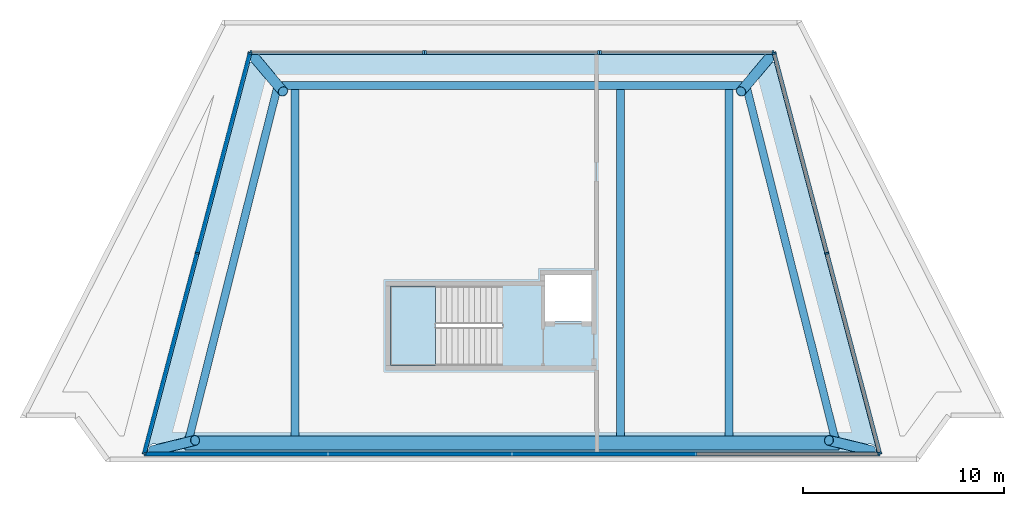
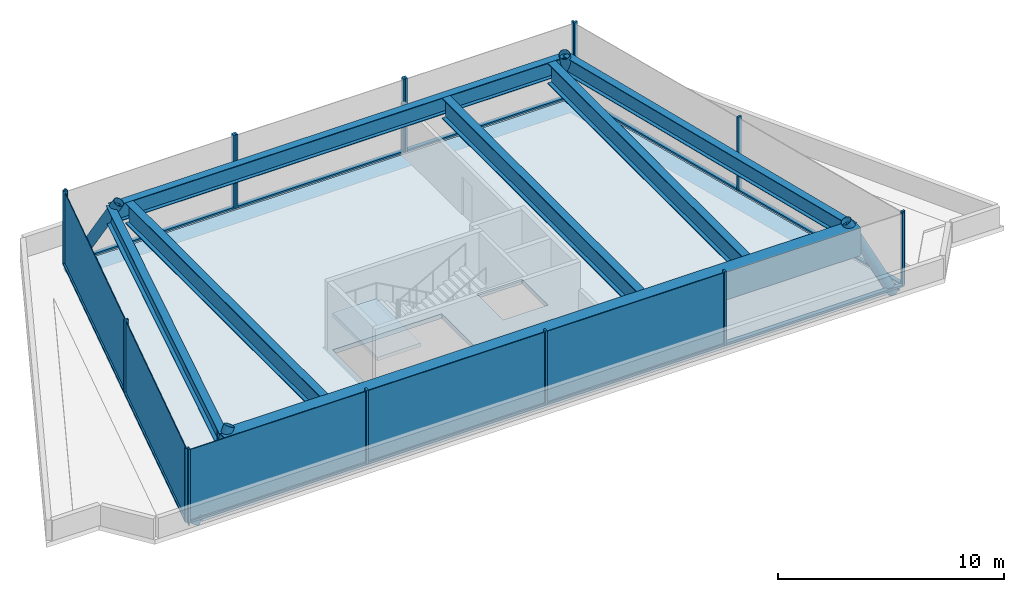
# One storey, part 1 of 3: 32 members, 7 beams, 5 plates, 2 slabs, 7 elements without a shape of their own.
"""IFC4 building model written with IfcOpenShell, lengths in metres."""

from ifc_helpers import new_model, si_unit, direction, frame, origin, origin_2d, place, context, subcontext, project, spatial, polyline, rectangle, hollow_rectangle, hollow_circle, i_section, outline, extrude, material, layer, layer_set, material_profile, profile_set, type_object, element, aggregate, save


model = new_model("IFC4")

# Units and contexts
model_context = context("Model", 3, precision=1e-05, world=origin(), true_north=direction((0.0, 1.0)))
body_context = subcontext(model_context, "Body", "Model", "MODEL_VIEW")
ifc_project = project(units=[si_unit("LENGTHUNIT", "METRE"), si_unit("AREAUNIT", "SQUARE_METRE"), si_unit("VOLUMEUNIT", "CUBIC_METRE"), si_unit("PLANEANGLEUNIT", "RADIAN"), si_unit("MASSUNIT", "GRAM", prefix="KILO")], contexts=[model_context])

# Site, building, storey
site_placement = place(None, origin())
site = spatial("IfcSite", under=ifc_project, at=site_placement, CompositionType="ELEMENT")
building_placement = place(site_placement, origin())
building = spatial("IfcBuilding", under=site, at=building_placement, Name="Quipu Civic Tower", CompositionType="ELEMENT")
storey_placement = place(building_placement, frame((0.0, 0.0, 368.0)))
storey = spatial("IfcBuildingStorey", under=building, at=storey_placement, Name="L85", CompositionType="ELEMENT", Elevation=368.0)

# Beams
ifc_material_1 = material(Name="Steel ASTM A992 Grade 50 (fy 345 MPa)", Category="steel")
ifc_material_profile_1 = material_profile(ifc_material_1, i_section(OverallWidth=0.405029296875, OverallDepth=1.1181640625, WebThickness=0.02587890625, FlangeThickness=0.044921875, at=origin_2d()), Name="W1100x499")
ifc_profile_set_1 = profile_set([ifc_material_profile_1], Name="Steel ASTM A992 Grade 50 (fy 345 MPa)")
beam_type_1 = type_object("IfcBeamType", Name="Crown floor beam W1100x499", PredefinedType="BEAM", material=ifc_profile_set_1)
for number, where, z_axis, x_axis, name in (
    (1, (-10.800048828125, -9.6953125, 3.19091796875), (0.0, 1.0, 0.0), (-1.0, 0.0, 0.0), "Crown floor beam L85 292"),
    (2, (5.39990234375, -9.6953125, 3.19091796875), (0.0, 1.0, 0.0), (-1.0, 0.0, 0.0), "Crown floor beam L85 454"),
    (3, (10.800048828125, -9.6953125, 3.19091796875), (0.0, 1.0, 0.0), (-1.0, 0.0, 0.0), "Crown floor beam L85 508"),
):
    element("IfcBeam", number, at=place(storey_placement, frame(where, z_axis=z_axis, x_axis=x_axis)), inside=storey, type_object=beam_type_1, Name=name, PredefinedType="BEAM", context=body_context, shape_type="SweptSolid", body=[
        extrude(i_section(OverallWidth=0.405029296875, OverallDepth=1.1181640625, WebThickness=0.02587890625, FlangeThickness=0.044921875, at=origin_2d()), origin(), (0.0, 0.0, 1.0), 17.24609375),
    ])

# Members
ifc_material_2 = material(Name="Steel ASTM A500 Grade C (fy 345 MPa)", Category="steel")
ifc_material_profile_2 = material_profile(ifc_material_2, hollow_circle(Radius=0.25390625, WallThickness=0.015869140625, at=origin_2d()), Name="HSS508x15.9")
ifc_profile_set_2 = profile_set([ifc_material_profile_2], Name="Steel ASTM A500 Grade C (fy 345 MPa)")
member_type_1 = type_object("IfcMemberType", Name="Crown leg HSS508x15.9", PredefinedType="BRACE", material=ifc_profile_set_2)
for number, where, z_axis, x_axis, name in (
    (4, (-17.8701171875, -10.433837890625, -0.25), (0.439616455426, 0.106612497814, 0.891835829864), (-0.235681060662, 0.971830457253, 0.0), "Crown leg L85 1"),
    (5, (17.8701171875, -10.433837890625, -0.25), (-0.439616455426, 0.106612497814, 0.891835829864), (-0.235681060662, -0.971830457253, 0.0), "Crown leg L85 2"),
):
    element("IfcMember", number, at=place(storey_placement, frame(where, z_axis=z_axis, x_axis=x_axis)), inside=storey, type_object=member_type_1, Name=name, PredefinedType="BRACE", context=body_context, shape_type="SweptSolid", body=[
        extrude(hollow_circle(Radius=0.25390625, WallThickness=0.015869140625, at=origin_2d()), origin(), (0.0, 0.0, 1.0), 4.765380859375),
    ])
for number, where, z_axis, x_axis, name in (
    (6, (12.916015625, 9.242919921875, -0.25), (-0.311790003681, -0.370348016625, 0.875002480103), (0.764994656868, -0.644036625482, 0.0), "Crown leg L85 3"),
    (7, (-12.916015625, 9.242919921875, -0.25), (0.311790003681, -0.370348016625, 0.875002480103), (0.764994656868, 0.644036625482, 0.0), "Crown leg L85 4"),
):
    element("IfcMember", number, at=place(storey_placement, frame(where, z_axis=z_axis, x_axis=x_axis)), inside=storey, type_object=member_type_1, Name=name, PredefinedType="BRACE", context=body_context, shape_type="SweptSolid", body=[
        extrude(hollow_circle(Radius=0.25390625, WallThickness=0.015869140625, at=origin_2d()), origin(), (0.0, 0.0, 1.0), 4.857177734375),
    ])

# Beams
ifc_material_3 = material(Name="Steel ASTM A572 Grade 50 (fy 345 MPa)", Category="steel")
ifc_material_profile_3 = material_profile(ifc_material_3, hollow_rectangle(XDim=0.699951171875, YDim=1.5, WallThickness=0.050048828125, at=origin_2d()), Name="BX1500x700x50")
ifc_profile_set_3 = profile_set([ifc_material_profile_3], Name="Steel ASTM A572 Grade 50 (fy 345 MPa)")
beam_type_2 = type_object("IfcBeamType", Name="Crown ring girder BX1500x700x50", PredefinedType="BEAM", material=ifc_profile_set_3)
beam_1_placement = place(storey_placement, frame((-16.26806640625, -10.045166015625, 3.0), z_axis=(1.0, 0.0, 0.0), x_axis=(0.0, 1.0, 0.0)))
element("IfcBeam", 8, at=beam_1_placement, inside=storey, type_object=beam_type_2, Name="Crown ring girder L85 1 to 2", PredefinedType="BEAM", context=body_context, shape_type="SweptSolid", body=[
    extrude(hollow_rectangle(XDim=0.699951171875, YDim=1.5, WallThickness=0.050048828125, at=origin_2d()), origin(), (0.0, 0.0, 1.0), 32.5361328125),
])
ifc_material_4 = material(Name="Steel ASTM A992 Grade 50 (fy 345 MPa)", Category="steel")
ifc_material_profile_4 = material_profile(ifc_material_4, i_section(OverallWidth=0.384033203125, OverallDepth=0.911865234375, WebThickness=0.019287109375, FlangeThickness=0.031982421875, at=origin_2d()), Name="W920x342")
ifc_profile_set_4 = profile_set([ifc_material_profile_4], Name="Steel ASTM A992 Grade 50 (fy 345 MPa)")
beam_type_3 = type_object("IfcBeamType", Name="Crown ring girder W920x342", PredefinedType="BEAM", material=ifc_profile_set_4)
beam_2_placement = place(storey_placement, frame((16.123046875, -10.010009765625, 3.294189453125), z_axis=(-0.24415758504, 0.96973556894, 0.0), x_axis=(-0.96973556894, -0.24415758504, 0.0)))
element("IfcBeam", 9, at=beam_2_placement, inside=storey, type_object=beam_type_3, Name="Crown ring girder L85 2 to 3", PredefinedType="BEAM", context=body_context, shape_type="SweptSolid", body=[
    extrude(i_section(OverallWidth=0.384033203125, OverallDepth=0.911865234375, WebThickness=0.019287109375, FlangeThickness=0.031982421875, at=origin_2d()), origin(), (0.0, 0.0, 1.0), 18.306640625),
])
beam_3_placement = place(storey_placement, frame((11.6533203125, 7.74267578125, 3.294189453125), z_axis=(-1.0, 0.0, 0.0), x_axis=(0.0, -1.0, 0.0)))
element("IfcBeam", 10, at=beam_3_placement, inside=storey, type_object=beam_type_3, Name="Crown ring girder L85 3 to 4", PredefinedType="BEAM", context=body_context, shape_type="SweptSolid", body=[
    extrude(i_section(OverallWidth=0.384033203125, OverallDepth=0.911865234375, WebThickness=0.019287109375, FlangeThickness=0.031982421875, at=origin_2d()), origin(), (0.0, 0.0, 1.0), 23.306640625),
])
beam_4_placement = place(storey_placement, frame((-11.6533203125, 7.74267578125, 3.294189453125), z_axis=(-0.24415758504, -0.96973556894, 0.0), x_axis=(0.96973556894, -0.24415758504, 0.0)))
element("IfcBeam", 11, at=beam_4_placement, inside=storey, type_object=beam_type_3, Name="Crown ring girder L85 4 to 1", PredefinedType="BEAM", context=body_context, shape_type="SweptSolid", body=[
    extrude(i_section(OverallWidth=0.384033203125, OverallDepth=0.911865234375, WebThickness=0.019287109375, FlangeThickness=0.031982421875, at=origin_2d()), origin(), (0.0, 0.0, 1.0), 18.306640625),
])

# Curtain wall, members
ifc_material_5 = material(Name="Insulated glass unit", Category="glass")
curtain_wall_type_1 = type_object("IfcCurtainWallType", Name="Crown glass facets CW6", PredefinedType="NOTDEFINED", material=ifc_material_5)
curtain_wall_1_placement = place(storey_placement, origin())
curtain_wall_1 = element("IfcCurtainWall", 12, at=curtain_wall_1_placement, inside=storey, type_object=curtain_wall_type_1, Name="Crown glass facets CW6 L85 run 1", PredefinedType="NOTDEFINED")
ifc_material_6 = material(Name="Anodised aluminium", Category="aluminium")
ifc_material_profile_5 = material_profile(ifc_material_6, rectangle(XDim=0.199951171875, YDim=0.10009765625, at=origin_2d()), Name="RECT 200x100")
ifc_profile_set_5 = profile_set([ifc_material_profile_5], Name="Anodised aluminium")
member_type_2 = type_object("IfcMemberType", Name="Mullion CW6", PredefinedType="MULLION", material=ifc_profile_set_5)
member_1_placement = place(storey_placement, frame((-18.26416015625, -10.610107421875, 0.050048828125), z_axis=(0.0, 0.0, 1.0), x_axis=(0.0, 1.0, 0.0)))
member_1 = element("IfcMember", 13, at=member_1_placement, type_object=member_type_2, Name="CW6 mullion 1", PredefinedType="MULLION", context=body_context, shape_type="SweptSolid", body=[
    extrude(rectangle(XDim=0.199951171875, YDim=0.10009765625, at=origin_2d()), origin(), (0.0, 0.0, 1.0), 4.0),
])
member_2_placement = place(storey_placement, frame((-9.156982421875, -10.610107421875, 0.050048828125), z_axis=(0.0, 0.0, 1.0), x_axis=(0.0, 1.0, 0.0)))
member_2 = element("IfcMember", 14, at=member_2_placement, type_object=member_type_2, Name="CW6 mullion 2", PredefinedType="MULLION", context=body_context, shape_type="SweptSolid", body=[
    extrude(rectangle(XDim=0.199951171875, YDim=0.10009765625, at=origin_2d()), origin(), (0.0, 0.0, 1.0), 4.0),
])
member_3_placement = place(storey_placement, frame((0.0, -10.610107421875, 0.050048828125), z_axis=(0.0, 0.0, 1.0), x_axis=(0.0, 1.0, 0.0)))
member_3 = element("IfcMember", 15, at=member_3_placement, type_object=member_type_2, Name="CW6 mullion 3", PredefinedType="MULLION", context=body_context, shape_type="SweptSolid", body=[
    extrude(rectangle(XDim=0.199951171875, YDim=0.10009765625, at=origin_2d()), origin(), (0.0, 0.0, 1.0), 4.0),
])
member_4_placement = place(storey_placement, frame((9.156982421875, -10.610107421875, 0.050048828125), z_axis=(0.0, 0.0, 1.0), x_axis=(0.0, 1.0, 0.0)))
member_4 = element("IfcMember", 16, at=member_4_placement, type_object=member_type_2, Name="CW6 mullion 4", PredefinedType="MULLION", context=body_context, shape_type="SweptSolid", body=[
    extrude(rectangle(XDim=0.199951171875, YDim=0.10009765625, at=origin_2d()), origin(), (0.0, 0.0, 1.0), 4.0),
])
member_5_placement = place(storey_placement, frame((18.26416015625, -10.610107421875, 0.050048828125), z_axis=(0.0, 0.0, 1.0), x_axis=(0.0, 1.0, 0.0)))
member_5 = element("IfcMember", 17, at=member_5_placement, type_object=member_type_2, Name="CW6 mullion 5", PredefinedType="MULLION", context=body_context, shape_type="SweptSolid", body=[
    extrude(rectangle(XDim=0.199951171875, YDim=0.10009765625, at=origin_2d()), origin(), (0.0, 0.0, 1.0), 4.0),
])

curtain_wall_2_placement = place(storey_placement, origin())
curtain_wall_2 = element("IfcCurtainWall", 18, at=curtain_wall_2_placement, inside=storey, type_object=curtain_wall_type_1, Name="Crown glass facets CW6 L85 run 3b", PredefinedType="NOTDEFINED")
member_6_placement = place(storey_placement, frame((4.294189453125, 9.389892578125, 0.050048828125), z_axis=(0.0, 0.0, 1.0), x_axis=(0.0, -1.0, 0.0)))
member_6 = element("IfcMember", 19, at=member_6_placement, type_object=member_type_2, Name="CW6 mullion 1", PredefinedType="MULLION", context=body_context, shape_type="SweptSolid", body=[
    extrude(rectangle(XDim=0.199951171875, YDim=0.10009765625, at=origin_2d()), origin(), (0.0, 0.0, 1.0), 4.0),
])
member_7_placement = place(storey_placement, frame((-4.294189453125, 9.389892578125, 0.050048828125), z_axis=(0.0, 0.0, 1.0), x_axis=(0.0, -1.0, 0.0)))
member_7 = element("IfcMember", 20, at=member_7_placement, type_object=member_type_2, Name="CW6 mullion 2", PredefinedType="MULLION", context=body_context, shape_type="SweptSolid", body=[
    extrude(rectangle(XDim=0.199951171875, YDim=0.10009765625, at=origin_2d()), origin(), (0.0, 0.0, 1.0), 4.0),
])

ifc_material_7 = material(Name="Anodised aluminium insulated panel", Category="aluminium")
curtain_wall_type_2 = type_object("IfcCurtainWallType", Name="Insulated infill wall CW6I", PredefinedType="NOTDEFINED", material=ifc_material_7)
curtain_wall_3_placement = place(storey_placement, origin())
curtain_wall_3 = element("IfcCurtainWall", 21, at=curtain_wall_3_placement, inside=storey, type_object=curtain_wall_type_2, Name="Insulated infill wall CW6I L85 run 2", PredefinedType="NOTDEFINED")
ifc_material_8 = material(Name="Anodised aluminium", Category="aluminium")
ifc_material_profile_6 = material_profile(ifc_material_8, rectangle(XDim=0.199951171875, YDim=0.10009765625, at=origin_2d()), Name="RECT 200x100")
ifc_profile_set_6 = profile_set([ifc_material_profile_6], Name="Anodised aluminium")
member_type_3 = type_object("IfcMemberType", Name="Mullion CW6I", PredefinedType="MULLION", material=ifc_profile_set_6)
member_8_placement = place(storey_placement, frame((18.30126953125, -10.561767578125, 0.050048828125), z_axis=(0.0, 0.0, 1.0), x_axis=(-0.966857143672, -0.255317965936, 0.0)))
member_8 = element("IfcMember", 22, at=member_8_placement, type_object=member_type_3, Name="CW6I mullion 1", PredefinedType="MULLION", context=body_context, shape_type="SweptSolid", body=[
    extrude(rectangle(XDim=0.199951171875, YDim=0.10009765625, at=origin_2d()), origin(), (0.0, 0.0, 1.0), 4.0),
])
member_9_placement = place(storey_placement, frame((15.67333984375, -0.610107421875, 0.050048828125), z_axis=(0.0, 0.0, 1.0), x_axis=(-0.966857143672, -0.255317965936, 0.0)))
member_9 = element("IfcMember", 23, at=member_9_placement, type_object=member_type_3, Name="CW6I mullion 2", PredefinedType="MULLION", context=body_context, shape_type="SweptSolid", body=[
    extrude(rectangle(XDim=0.199951171875, YDim=0.10009765625, at=origin_2d()), origin(), (0.0, 0.0, 1.0), 4.0),
])
member_10_placement = place(storey_placement, frame((13.04541015625, 9.341552734375, 0.050048828125), z_axis=(0.0, 0.0, 1.0), x_axis=(-0.966857143672, -0.255317965936, 0.0)))
member_10 = element("IfcMember", 24, at=member_10_placement, type_object=member_type_3, Name="CW6I mullion 3", PredefinedType="MULLION", context=body_context, shape_type="SweptSolid", body=[
    extrude(rectangle(XDim=0.199951171875, YDim=0.10009765625, at=origin_2d()), origin(), (0.0, 0.0, 1.0), 4.0),
])

curtain_wall_4_placement = place(storey_placement, origin())
curtain_wall_4 = element("IfcCurtainWall", 25, at=curtain_wall_4_placement, inside=storey, type_object=curtain_wall_type_2, Name="Insulated infill wall CW6I L85 run 3a", PredefinedType="NOTDEFINED")
member_11_placement = place(storey_placement, frame((12.982666015625, 9.389892578125, 0.050048828125), z_axis=(0.0, 0.0, 1.0), x_axis=(0.0, -1.0, 0.0)))
member_11 = element("IfcMember", 26, at=member_11_placement, type_object=member_type_3, Name="CW6I mullion 1", PredefinedType="MULLION", context=body_context, shape_type="SweptSolid", body=[
    extrude(rectangle(XDim=0.199951171875, YDim=0.10009765625, at=origin_2d()), origin(), (0.0, 0.0, 1.0), 4.0),
])
member_12_placement = place(storey_placement, frame((4.394287109375, 9.389892578125, 0.050048828125), z_axis=(0.0, 0.0, 1.0), x_axis=(0.0, -1.0, 0.0)))
member_12 = element("IfcMember", 27, at=member_12_placement, type_object=member_type_3, Name="CW6I mullion 2", PredefinedType="MULLION", context=body_context, shape_type="SweptSolid", body=[
    extrude(rectangle(XDim=0.199951171875, YDim=0.10009765625, at=origin_2d()), origin(), (0.0, 0.0, 1.0), 4.0),
])

curtain_wall_5_placement = place(storey_placement, origin())
curtain_wall_5 = element("IfcCurtainWall", 28, at=curtain_wall_5_placement, inside=storey, type_object=curtain_wall_type_2, Name="Insulated infill wall CW6I L85 run 3c", PredefinedType="NOTDEFINED")
member_13_placement = place(storey_placement, frame((-4.394287109375, 9.389892578125, 0.050048828125), z_axis=(0.0, 0.0, 1.0), x_axis=(0.0, -1.0, 0.0)))
member_13 = element("IfcMember", 29, at=member_13_placement, type_object=member_type_3, Name="CW6I mullion 1", PredefinedType="MULLION", context=body_context, shape_type="SweptSolid", body=[
    extrude(rectangle(XDim=0.199951171875, YDim=0.10009765625, at=origin_2d()), origin(), (0.0, 0.0, 1.0), 4.0),
])
member_14_placement = place(storey_placement, frame((-12.982666015625, 9.389892578125, 0.050048828125), z_axis=(0.0, 0.0, 1.0), x_axis=(0.0, -1.0, 0.0)))
member_14 = element("IfcMember", 30, at=member_14_placement, type_object=member_type_3, Name="CW6I mullion 2", PredefinedType="MULLION", context=body_context, shape_type="SweptSolid", body=[
    extrude(rectangle(XDim=0.199951171875, YDim=0.10009765625, at=origin_2d()), origin(), (0.0, 0.0, 1.0), 4.0),
])

curtain_wall_6_placement = place(storey_placement, origin())
curtain_wall_6 = element("IfcCurtainWall", 31, at=curtain_wall_6_placement, inside=storey, type_object=curtain_wall_type_2, Name="Insulated infill wall CW6I L85 run 4", PredefinedType="NOTDEFINED")
member_15_placement = place(storey_placement, frame((-13.04541015625, 9.341552734375, 0.050048828125), z_axis=(0.0, 0.0, 1.0), x_axis=(0.966857143672, -0.255317965936, 0.0)))
member_15 = element("IfcMember", 32, at=member_15_placement, type_object=member_type_3, Name="CW6I mullion 1", PredefinedType="MULLION", context=body_context, shape_type="SweptSolid", body=[
    extrude(rectangle(XDim=0.199951171875, YDim=0.10009765625, at=origin_2d()), origin(), (0.0, 0.0, 1.0), 4.0),
])
member_16_placement = place(storey_placement, frame((-15.67333984375, -0.610107421875, 0.050048828125), z_axis=(0.0, 0.0, 1.0), x_axis=(0.966857143672, -0.255317965936, 0.0)))
member_16 = element("IfcMember", 33, at=member_16_placement, type_object=member_type_3, Name="CW6I mullion 2", PredefinedType="MULLION", context=body_context, shape_type="SweptSolid", body=[
    extrude(rectangle(XDim=0.199951171875, YDim=0.10009765625, at=origin_2d()), origin(), (0.0, 0.0, 1.0), 4.0),
])
member_17_placement = place(storey_placement, frame((-18.30126953125, -10.561767578125, 0.050048828125), z_axis=(0.0, 0.0, 1.0), x_axis=(0.966857143672, -0.255317965936, 0.0)))
member_17 = element("IfcMember", 34, at=member_17_placement, type_object=member_type_3, Name="CW6I mullion 3", PredefinedType="MULLION", context=body_context, shape_type="SweptSolid", body=[
    extrude(rectangle(XDim=0.199951171875, YDim=0.10009765625, at=origin_2d()), origin(), (0.0, 0.0, 1.0), 4.0),
])

# Member
ifc_material_9 = material(Name="Anodised aluminium", Category="aluminium")
ifc_material_profile_7 = material_profile(ifc_material_9, rectangle(XDim=0.199951171875, YDim=0.10009765625, at=origin_2d()), Name="RECT 200x100")
ifc_profile_set_7 = profile_set([ifc_material_profile_7], Name="Anodised aluminium")
member_type_4 = type_object("IfcMemberType", Name="Transom CW6", PredefinedType="USERDEFINED", material=ifc_profile_set_7)
member_18_placement = place(storey_placement, frame((-18.214111328125, -10.610107421875, 0.10009765625), z_axis=(1.0, 0.0, 0.0), x_axis=(0.0, 1.0, 0.0)))
member_18 = element("IfcMember", 35, at=member_18_placement, type_object=member_type_4, Name="CW6 transom 1.1", ObjectType="TRANSOM", PredefinedType="USERDEFINED", context=body_context, shape_type="SweptSolid", body=[
    extrude(rectangle(XDim=0.199951171875, YDim=0.10009765625, at=origin_2d()), origin(), (0.0, 0.0, 1.0), 9.007080078125),
])

member_19_placement = place(storey_placement, frame((-9.10693359375, -10.610107421875, 0.10009765625), z_axis=(1.0, 0.0, 0.0), x_axis=(0.0, 1.0, 0.0)))
member_19 = element("IfcMember", 36, at=member_19_placement, type_object=member_type_4, Name="CW6 transom 2.1", ObjectType="TRANSOM", PredefinedType="USERDEFINED", context=body_context, shape_type="SweptSolid", body=[
    extrude(rectangle(XDim=0.199951171875, YDim=0.10009765625, at=origin_2d()), origin(), (0.0, 0.0, 1.0), 9.056884765625),
])

member_20_placement = place(storey_placement, frame((0.050048828125, -10.610107421875, 0.10009765625), z_axis=(1.0, 0.0, 0.0), x_axis=(0.0, 1.0, 0.0)))
member_20 = element("IfcMember", 37, at=member_20_placement, type_object=member_type_4, Name="CW6 transom 3.1", ObjectType="TRANSOM", PredefinedType="USERDEFINED", context=body_context, shape_type="SweptSolid", body=[
    extrude(rectangle(XDim=0.199951171875, YDim=0.10009765625, at=origin_2d()), origin(), (0.0, 0.0, 1.0), 9.056884765625),
])

member_21_placement = place(storey_placement, frame((9.20703125, -10.610107421875, 0.10009765625), z_axis=(1.0, 0.0, 0.0), x_axis=(0.0, 1.0, 0.0)))
member_21 = element("IfcMember", 38, at=member_21_placement, type_object=member_type_4, Name="CW6 transom 4.1", ObjectType="TRANSOM", PredefinedType="USERDEFINED", context=body_context, shape_type="SweptSolid", body=[
    extrude(rectangle(XDim=0.199951171875, YDim=0.10009765625, at=origin_2d()), origin(), (0.0, 0.0, 1.0), 9.007080078125),
])

member_22_placement = place(storey_placement, frame((4.244140625, 9.389892578125, 0.10009765625), z_axis=(-1.0, 0.0, 0.0), x_axis=(0.0, -1.0, 0.0)))
member_22 = element("IfcMember", 39, at=member_22_placement, type_object=member_type_4, Name="CW6 transom 1.1", ObjectType="TRANSOM", PredefinedType="USERDEFINED", context=body_context, shape_type="SweptSolid", body=[
    extrude(rectangle(XDim=0.199951171875, YDim=0.10009765625, at=origin_2d()), origin(), (0.0, 0.0, 1.0), 8.48828125),
])

aggregate(curtain_wall_2, [member_6, member_7, member_22])

ifc_material_10 = material(Name="Anodised aluminium", Category="aluminium")
ifc_material_profile_8 = material_profile(ifc_material_10, rectangle(XDim=0.199951171875, YDim=0.10009765625, at=origin_2d()), Name="RECT 200x100")
ifc_profile_set_8 = profile_set([ifc_material_profile_8], Name="Anodised aluminium")
member_type_5 = type_object("IfcMemberType", Name="Transom CW6I", PredefinedType="USERDEFINED", material=ifc_profile_set_8)
member_23_placement = place(storey_placement, frame((18.28857421875, -10.513427734375, 0.10009765625), z_axis=(-0.2553078985, 0.966859802124, 0.0), x_axis=(-0.966859802124, -0.2553078985, 0.0)))
member_23 = element("IfcMember", 40, at=member_23_placement, type_object=member_type_5, Name="CW6I transom 1.1", ObjectType="TRANSOM", PredefinedType="USERDEFINED", context=body_context, shape_type="SweptSolid", body=[
    extrude(rectangle(XDim=0.199951171875, YDim=0.10009765625, at=origin_2d()), origin(), (0.0, 0.0, 1.0), 10.19287109375),
])

member_24_placement = place(storey_placement, frame((15.66064453125, -0.561767578125, 0.10009765625), z_axis=(-0.2553078985, 0.966859802124, 0.0), x_axis=(-0.966859802124, -0.2553078985, 0.0)))
member_24 = element("IfcMember", 41, at=member_24_placement, type_object=member_type_5, Name="CW6I transom 2.1", ObjectType="TRANSOM", PredefinedType="USERDEFINED", context=body_context, shape_type="SweptSolid", body=[
    extrude(rectangle(XDim=0.199951171875, YDim=0.10009765625, at=origin_2d()), origin(), (0.0, 0.0, 1.0), 10.19287109375),
])

aggregate(curtain_wall_3, [member_8, member_9, member_10, member_23, member_24])

member_25_placement = place(storey_placement, frame((12.9326171875, 9.389892578125, 0.10009765625), z_axis=(-1.0, 0.0, 0.0), x_axis=(0.0, -1.0, 0.0)))
member_25 = element("IfcMember", 42, at=member_25_placement, type_object=member_type_5, Name="CW6I transom 1.1", ObjectType="TRANSOM", PredefinedType="USERDEFINED", context=body_context, shape_type="SweptSolid", body=[
    extrude(rectangle(XDim=0.199951171875, YDim=0.10009765625, at=origin_2d()), origin(), (0.0, 0.0, 1.0), 8.488525390625),
])

aggregate(curtain_wall_4, [member_11, member_12, member_25])

member_26_placement = place(storey_placement, frame((-4.444091796875, 9.389892578125, 0.10009765625), z_axis=(-1.0, 0.0, 0.0), x_axis=(0.0, -1.0, 0.0)))
member_26 = element("IfcMember", 43, at=member_26_placement, type_object=member_type_5, Name="CW6I transom 1.1", ObjectType="TRANSOM", PredefinedType="USERDEFINED", context=body_context, shape_type="SweptSolid", body=[
    extrude(rectangle(XDim=0.199951171875, YDim=0.10009765625, at=origin_2d()), origin(), (0.0, 0.0, 1.0), 8.488525390625),
])

aggregate(curtain_wall_5, [member_13, member_14, member_26])

member_27_placement = place(storey_placement, frame((-13.058349609375, 9.293212890625, 0.10009765625), z_axis=(-0.2553078985, -0.966859802124, 0.0), x_axis=(0.966859802124, -0.2553078985, 0.0)))
member_27 = element("IfcMember", 44, at=member_27_placement, type_object=member_type_5, Name="CW6I transom 1.1", ObjectType="TRANSOM", PredefinedType="USERDEFINED", context=body_context, shape_type="SweptSolid", body=[
    extrude(rectangle(XDim=0.199951171875, YDim=0.10009765625, at=origin_2d()), origin(), (0.0, 0.0, 1.0), 10.19287109375),
])

member_28_placement = place(storey_placement, frame((-15.686279296875, -0.658447265625, 0.10009765625), z_axis=(-0.2553078985, -0.966859802124, 0.0), x_axis=(0.966859802124, -0.2553078985, 0.0)))
member_28 = element("IfcMember", 45, at=member_28_placement, type_object=member_type_5, Name="CW6I transom 2.1", ObjectType="TRANSOM", PredefinedType="USERDEFINED", context=body_context, shape_type="SweptSolid", body=[
    extrude(rectangle(XDim=0.199951171875, YDim=0.10009765625, at=origin_2d()), origin(), (0.0, 0.0, 1.0), 10.19287109375),
])

# Slab
ifc_material_11 = material(Name="Concrete C40/50", Category="concrete")
ifc_layer_1 = layer(ifc_material_11, 0.25)
ifc_layer_set_1 = layer_set([ifc_layer_1], Name="Concrete C40/50")
slab_type_1 = type_object("IfcSlabType", Name="Crown floor slab 250 C40/50", PredefinedType="FLOOR", material=ifc_layer_set_1)
slab_1_placement = place(storey_placement, frame((0.0, 0.0, -0.25)))
element("IfcSlab", 46, at=slab_1_placement, inside=storey, type_object=slab_type_1, Name="Crown floor slab L85", PredefinedType="FLOOR", context=body_context, shape_type="SweptSolid", body=[
    extrude(outline(polyline([(-13.050048828125, 8.925048828125), (-12.9951171875, 8.89501953125), (-12.93505859375, 8.875), (-12.840087890625, 8.8701171875), (-12.75, 8.89501953125), (-12.695068359375, 8.925048828125), (-12.64501953125, 8.965087890625), (-12.60498046875, 9.010009765625), (-12.56494140625, 9.094970703125), (-12.550048828125, 9.18994140625), (-12.570068359375, 9.2900390625), (12.570068359375, 9.2900390625), (12.550048828125, 9.18994140625), (12.574951171875, 9.06494140625), (12.625, 8.985107421875), (12.695068359375, 8.925048828125), (12.75, 8.89501953125), (12.840087890625, 8.8701171875), (12.93505859375, 8.875), (12.9951171875, 8.89501953125), (13.050048828125, 8.925048828125), (18.18505859375, -10.510009765625), (18.114990234375, -10.510009765625), (18.1298828125, -10.419921875), (18.114990234375, -10.324951171875), (18.10498046875, -10.294921875), (18.054931640625, -10.215087890625), (18.010009765625, -10.169921875), (17.9599609375, -10.135009765625), (17.840087890625, -10.10009765625), (17.7451171875, -10.10498046875), (17.659912109375, -10.135009765625), (17.60498046875, -10.169921875), (17.56005859375, -10.215087890625), (17.52490234375, -10.27001953125), (17.5, -10.324951171875), (17.489990234375, -10.389892578125), (17.489990234375, -10.449951171875), (17.5, -10.510009765625), (-17.5, -10.510009765625), (-17.489990234375, -10.449951171875), (-17.489990234375, -10.389892578125), (-17.5, -10.324951171875), (-17.52490234375, -10.27001953125), (-17.56005859375, -10.215087890625), (-17.60498046875, -10.169921875), (-17.659912109375, -10.135009765625), (-17.77490234375, -10.10009765625), (-17.8701171875, -10.10498046875), (-17.9599609375, -10.135009765625), (-18.010009765625, -10.169921875), (-18.074951171875, -10.239990234375), (-18.114990234375, -10.324951171875), (-18.1298828125, -10.419921875), (-18.114990234375, -10.510009765625), (-18.18505859375, -10.510009765625), (-13.050048828125, 8.925048828125)]), holes=[polyline([(-6.044921875, -2.235107421875), (-6.044921875, -6.195068359375), (-0.465087890625, -6.195068359375), (-0.465087890625, -2.235107421875), (-6.044921875, -2.235107421875)]), polyline([(3.949951171875, -1.699951171875), (1.64990234375, -1.699951171875), (1.64990234375, -4.0), (3.949951171875, -4.0), (3.949951171875, -1.699951171875)])]), origin(), (0.0, 0.0, 1.0), 0.25),
])

# Plate
ifc_material_12 = material(Name="Insulated glass unit", Category="glass")
ifc_layer_2 = layer(ifc_material_12, 0.0400390625)
ifc_layer_set_2 = layer_set([ifc_layer_2], Name="Insulated glass unit")
plate_type_1 = type_object("IfcPlateType", Name="Glass panel CW6", PredefinedType="CURTAIN_PANEL", material=ifc_layer_set_2)
plate_1_placement = place(storey_placement, frame((-13.710693359375, -10.610107421875, 0.14990234375), z_axis=(0.0, 0.0, 1.0), x_axis=(1.0, 0.0, 0.0)))
plate_1 = element("IfcPlate", 47, at=plate_1_placement, type_object=plate_type_1, Name="CW6 panel 1.1", PredefinedType="CURTAIN_PANEL", context=body_context, shape_type="SweptSolid", body=[
    extrude(rectangle(XDim=9.007080078125, YDim=0.0400390625, at=origin_2d()), origin(), (0.0, 0.0, 1.0), 3.800048828125),
])

plate_2_placement = place(storey_placement, frame((-4.57861328125, -10.610107421875, 0.14990234375), z_axis=(0.0, 0.0, 1.0), x_axis=(1.0, 0.0, 0.0)))
plate_2 = element("IfcPlate", 48, at=plate_2_placement, type_object=plate_type_1, Name="CW6 panel 2.1", PredefinedType="CURTAIN_PANEL", context=body_context, shape_type="SweptSolid", body=[
    extrude(rectangle(XDim=9.05712890625, YDim=0.0400390625, at=origin_2d()), origin(), (0.0, 0.0, 1.0), 3.800048828125),
])

plate_3_placement = place(storey_placement, frame((4.57861328125, -10.610107421875, 0.14990234375), z_axis=(0.0, 0.0, 1.0), x_axis=(1.0, 0.0, 0.0)))
plate_3 = element("IfcPlate", 49, at=plate_3_placement, type_object=plate_type_1, Name="CW6 panel 3.1", PredefinedType="CURTAIN_PANEL", context=body_context, shape_type="SweptSolid", body=[
    extrude(rectangle(XDim=9.05712890625, YDim=0.0400390625, at=origin_2d()), origin(), (0.0, 0.0, 1.0), 3.800048828125),
])

aggregate(curtain_wall_1, [member_1, member_2, member_3, member_4, member_5, member_18, plate_1, member_19, plate_2, member_20, plate_3, member_21])

ifc_material_13 = material(Name="Anodised aluminium insulated panel", Category="aluminium")
ifc_layer_3 = layer(ifc_material_13, 0.0400390625)
ifc_layer_set_3 = layer_set([ifc_layer_3], Name="Anodised aluminium insulated panel")
plate_type_2 = type_object("IfcPlateType", Name="Insulated panel CW6I", PredefinedType="CURTAIN_PANEL", material=ifc_layer_set_3)
plate_4_placement = place(storey_placement, frame((-14.359375, 4.36572265625, 0.14990234375), z_axis=(0.0, 0.0, 1.0), x_axis=(-0.255317965936, -0.966857143672, 0.0)))
plate_4 = element("IfcPlate", 50, at=plate_4_placement, type_object=plate_type_2, Name="CW6I panel 1.1", PredefinedType="CURTAIN_PANEL", context=body_context, shape_type="SweptSolid", body=[
    extrude(rectangle(XDim=10.19287109375, YDim=0.0400390625, at=origin_2d()), origin(), (0.0, 0.0, 1.0), 3.800048828125),
])

plate_5_placement = place(storey_placement, frame((-16.9873046875, -5.5859375, 0.14990234375), z_axis=(0.0, 0.0, 1.0), x_axis=(-0.255317965936, -0.966857143672, 0.0)))
plate_5 = element("IfcPlate", 51, at=plate_5_placement, type_object=plate_type_2, Name="CW6I panel 2.1", PredefinedType="CURTAIN_PANEL", context=body_context, shape_type="SweptSolid", body=[
    extrude(rectangle(XDim=10.19287109375, YDim=0.0400390625, at=origin_2d()), origin(), (0.0, 0.0, 1.0), 3.800048828125),
])

aggregate(curtain_wall_6, [member_15, member_16, member_17, member_27, plate_4, member_28, plate_5])

# Stair, slab
ifc_material_14 = material(Name="Concrete C40/50", Category="concrete")
stair_type = type_object("IfcStairType", Name="Half turn stair 1910", PredefinedType="HALF_TURN_STAIR", material=ifc_material_14)
stair_placement = place(storey_placement, origin())
stair = element("IfcStair", 52, at=stair_placement, inside=storey, type_object=stair_type, Name="Crown access stair", PredefinedType="HALF_TURN_STAIR")
ifc_material_15 = material(Name="Concrete C40/50", Category="concrete")
ifc_layer_4 = layer(ifc_material_15, 0.199951171875)
ifc_layer_set_4 = layer_set([ifc_layer_4], Name="Concrete C40/50")
slab_type_2 = type_object("IfcSlabType", Name="Stair landing 200", PredefinedType="LANDING", material=ifc_layer_set_4)
slab_2_placement = place(storey_placement, frame((0.0, 0.0, 1.800048828125)))
slab_2 = element("IfcSlab", 53, at=slab_2_placement, type_object=slab_type_2, Name="ST-5 landing 1", PredefinedType="LANDING", context=body_context, shape_type="SweptSolid", body=[
    extrude(outline(polyline([(-3.820068359375, -2.22998046875), (-6.050048828125, -2.22998046875), (-6.050048828125, -6.199951171875), (-3.820068359375, -6.199951171875), (-3.820068359375, -2.22998046875)])), origin(), (0.0, 0.0, 1.0), 0.199951171875),
])
aggregate(stair, [slab_2])

save(model, "model.ifc")
